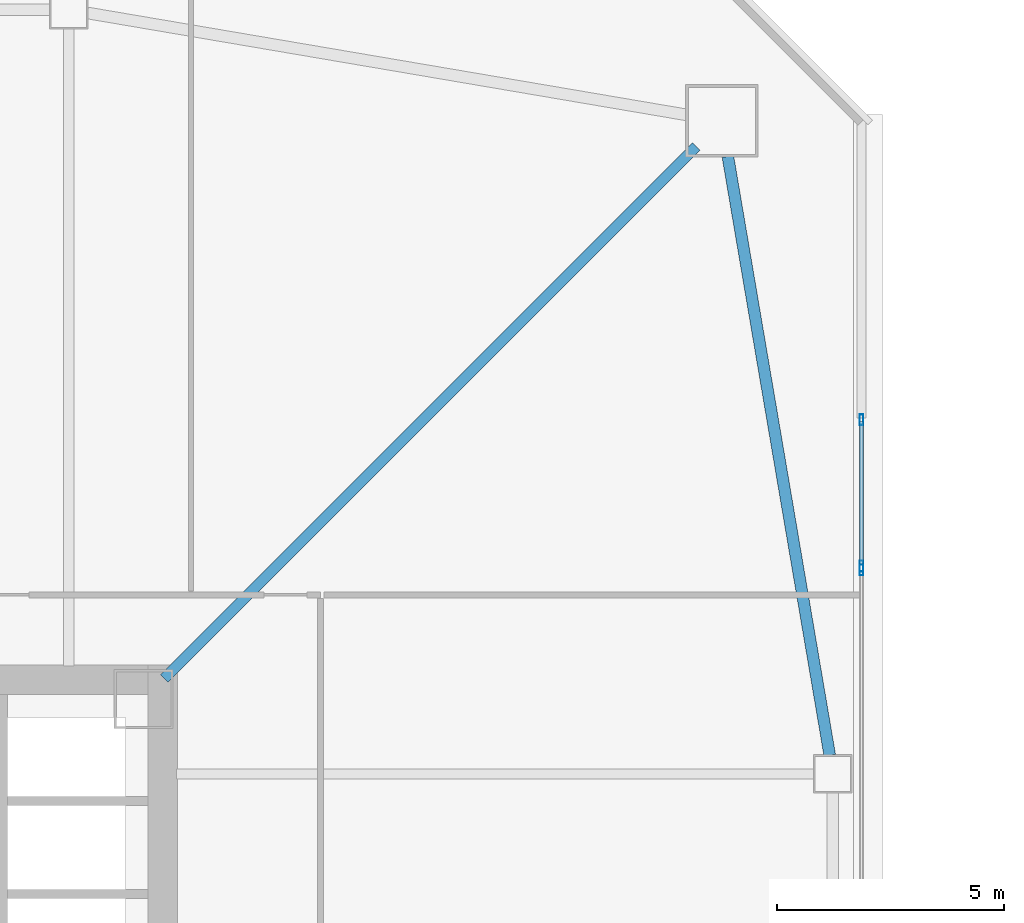
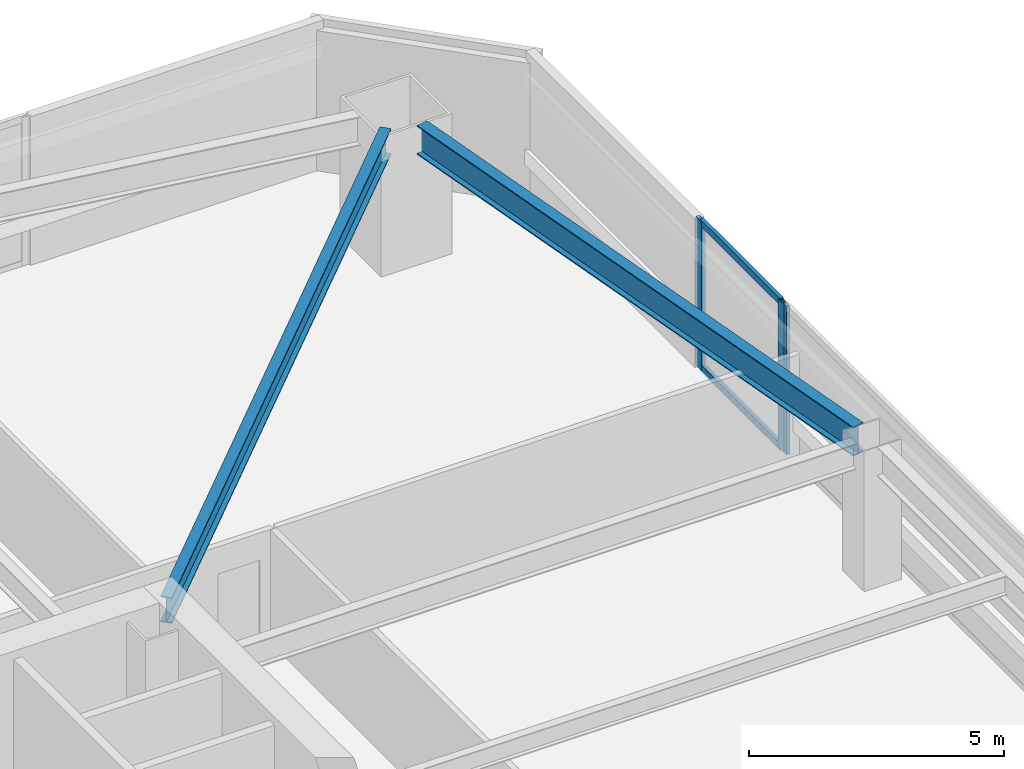
# One storey, part 17 of 48: 5 members, 2 beams, 2 elements without a shape of their own.
"""IFC4 building model written with IfcOpenShell, lengths in metres."""

from ifc_helpers import new_model, si_unit, direction, frame, origin, origin_2d, place, context, subcontext, project, spatial, hollow_rectangle, i_section, extrude, material, material_profile, profile_set, type_object, element, aggregate, save


model = new_model("IFC4")

# Units and contexts
model_context = context("Model", 3, precision=1e-05, world=origin(), true_north=direction((0.0, 1.0)))
body_context = subcontext(model_context, "Body", "Model", "MODEL_VIEW")
ifc_project = project(units=[si_unit("LENGTHUNIT", "METRE"), si_unit("AREAUNIT", "SQUARE_METRE"), si_unit("VOLUMEUNIT", "CUBIC_METRE"), si_unit("PLANEANGLEUNIT", "RADIAN"), si_unit("MASSUNIT", "GRAM", prefix="KILO")], contexts=[model_context])

# Site, building, storey
site_placement = place(None, origin())
site = spatial("IfcSite", under=ifc_project, at=site_placement, CompositionType="ELEMENT")
building_placement = place(site_placement, origin())
building = spatial("IfcBuilding", under=site, at=building_placement, Name="Tashvorn Skyway Center", CompositionType="ELEMENT")
storey_placement = place(building_placement, frame((0.0, 0.0, 56.550048828125)))
storey = spatial("IfcBuildingStorey", under=building, at=storey_placement, Name="L14", CompositionType="ELEMENT", Elevation=56.550048828125)

# Beams
ifc_material_1 = material(Name="Steel ASTM A992 Grade 50", Category="steel")
ifc_material_profile_1 = material_profile(ifc_material_1, i_section(OverallWidth=0.22998046875, OverallDepth=0.616943359375, WebThickness=0.01318359375, FlangeThickness=0.022216796875, at=origin_2d()), Name="W24X94")
ifc_profile_set_1 = profile_set([ifc_material_profile_1], Name="Steel ASTM A992 Grade 50")
beam_type_1 = type_object("IfcBeamType", Name="BM-BEAM-W24X94", PredefinedType="BEAM", material=ifc_profile_set_1)
beam_1_placement = place(storey_placement, frame((61.23779296875, 51.23779296875, 3.04150390625), z_axis=(-0.707106781187, -0.707106781187, 0.0), x_axis=(0.707106781187, -0.707106781187, 0.0)))
element("IfcBeam", 1, at=beam_1_placement, inside=storey, type_object=beam_type_1, Name="Tower 1 L14 Primary Floor Girder MC-NE", PredefinedType="BEAM", context=body_context, shape_type="SweptSolid", body=[
    extrude(i_section(OverallWidth=0.22998046875, OverallDepth=0.616943359375, WebThickness=0.01318359375, FlangeThickness=0.022216796875, at=origin_2d()), origin(), (0.0, 0.0, 1.0), 16.591064453125),
])
ifc_material_profile_2 = material_profile(ifc_material_1, i_section(OverallWidth=0.256103515625, OverallDepth=0.693115234375, WebThickness=0.014404296875, FlangeThickness=0.023681640625, at=origin_2d()), Name="W27X114")
ifc_profile_set_2 = profile_set([ifc_material_profile_2], Name="Steel ASTM A992 Grade 50")
beam_type_2 = type_object("IfcBeamType", Name="BM-SPANDREL-W27X114", PredefinedType="SPANDREL", material=ifc_profile_set_2)
beam_2_placement = place(storey_placement, frame((64.179443359375, 37.81396484375, 3.00341796875), z_axis=(-0.16771792509, 0.985835025551, 0.0), x_axis=(-0.985835025551, -0.16771792509, 0.0)))
element("IfcBeam", 2, at=beam_2_placement, inside=storey, type_object=beam_type_2, Name="Tower 1 L14 Spandrel Beam 06", PredefinedType="SPANDREL", context=body_context, shape_type="SweptSolid", body=[
    extrude(i_section(OverallWidth=0.256103515625, OverallDepth=0.693115234375, WebThickness=0.014404296875, FlangeThickness=0.023681640625, at=origin_2d()), origin(), (0.0, 0.0, 1.0), 13.39208984375),
])

# Curtain wall, members
ifc_material_2 = material(Name="Thermally broken bronze-anodized aluminium 6063-T6", Category="aluminium")
curtain_wall_type = type_object("IfcCurtainWallType", Name="CW-CW-Z1", PredefinedType="NOTDEFINED", material=ifc_material_2)
curtain_wall_1_placement = place(storey_placement, origin())
curtain_wall_1 = element("IfcCurtainWall", 3, at=curtain_wall_1_placement, inside=storey, type_object=curtain_wall_type, Name="Tower 1 L14 East Unitised Curtain Wall Glazing Group 1", PredefinedType="NOTDEFINED")
ifc_material_profile_3 = material_profile(ifc_material_2, hollow_rectangle(XDim=0.0849609375, YDim=0.239990234375, WallThickness=0.0048828125, at=origin_2d()), Name="ALU-MULL-85x240")
ifc_profile_set_3 = profile_set([ifc_material_profile_3], Name="Thermally broken bronze-anodized aluminium 6063-T6")
member_type_1 = type_object("IfcMemberType", Name="CWM-CW-Z1", PredefinedType="MULLION", material=ifc_profile_set_3)
member_1_placement = place(storey_placement, frame((64.8798828125, 45.210693359375, 0.0), z_axis=(0.0, 0.0, 1.0), x_axis=(1.0, 0.0, 0.0)))
member_1 = element("IfcMember", 4, at=member_1_placement, type_object=member_type_1, Name="CW-Z1 mullion 1", PredefinedType="MULLION", context=body_context, shape_type="SweptSolid", body=[
    extrude(hollow_rectangle(XDim=0.0849609375, YDim=0.239990234375, WallThickness=0.0048828125, at=origin_2d()), origin(), (0.0, 0.0, 1.0), 3.550048828125),
])
member_2_placement = place(storey_placement, frame((64.8798828125, 41.982421875, 0.0), z_axis=(0.0, 0.0, 1.0), x_axis=(1.0, 0.0, 0.0)))
member_2 = element("IfcMember", 5, at=member_2_placement, type_object=member_type_1, Name="CW-Z1 mullion 2", PredefinedType="MULLION", context=body_context, shape_type="SweptSolid", body=[
    extrude(hollow_rectangle(XDim=0.0849609375, YDim=0.239990234375, WallThickness=0.0048828125, at=origin_2d()), origin(), (0.0, 0.0, 1.0), 3.550048828125),
])

# Curtain wall, member
curtain_wall_2_placement = place(storey_placement, origin())
curtain_wall_2 = element("IfcCurtainWall", 6, at=curtain_wall_2_placement, inside=storey, type_object=curtain_wall_type, Name="Tower 1 L14 East Unitised Curtain Wall Glazing Group 2", PredefinedType="NOTDEFINED")
member_3_placement = place(storey_placement, frame((64.8798828125, 41.8974609375, 0.0), z_axis=(0.0, 0.0, 1.0), x_axis=(1.0, 0.0, 0.0)))
member_3 = element("IfcMember", 7, at=member_3_placement, type_object=member_type_1, Name="CW-Z1 mullion 1", PredefinedType="MULLION", context=body_context, shape_type="SweptSolid", body=[
    extrude(hollow_rectangle(XDim=0.0849609375, YDim=0.239990234375, WallThickness=0.0048828125, at=origin_2d()), origin(), (0.0, 0.0, 1.0), 3.550048828125),
])
aggregate(curtain_wall_2, [member_3])

# Member
ifc_material_profile_4 = material_profile(ifc_material_2, hollow_rectangle(XDim=0.0849609375, YDim=0.1650390625, WallThickness=0.0048828125, at=origin_2d()), Name="ALU-TRAN-85x165")
ifc_profile_set_4 = profile_set([ifc_material_profile_4], Name="Thermally broken bronze-anodized aluminium 6063-T6")
member_type_2 = type_object("IfcMemberType", Name="CWT-CW-Z1", PredefinedType="USERDEFINED", material=ifc_profile_set_4)
member_4_placement = place(storey_placement, frame((64.8798828125, 45.168212890625, 0.04248046875), z_axis=(0.0, -1.0, 0.0), x_axis=(1.0, 0.0, 0.0)))
member_4 = element("IfcMember", 8, at=member_4_placement, type_object=member_type_2, Name="CW-Z1 transom 1.1", ObjectType="TRANSOM", PredefinedType="USERDEFINED", context=body_context, shape_type="SweptSolid", body=[
    extrude(hollow_rectangle(XDim=0.0849609375, YDim=0.1650390625, WallThickness=0.0048828125, at=origin_2d()), origin(), (0.0, 0.0, 1.0), 3.143310546875),
])

member_5_placement = place(storey_placement, frame((64.8798828125, 45.168212890625, 3.507568359375), z_axis=(0.0, -1.0, 0.0), x_axis=(1.0, 0.0, 0.0)))
member_5 = element("IfcMember", 9, at=member_5_placement, type_object=member_type_2, Name="CW-Z1 transom 1.2", ObjectType="TRANSOM", PredefinedType="USERDEFINED", context=body_context, shape_type="SweptSolid", body=[
    extrude(hollow_rectangle(XDim=0.0849609375, YDim=0.1650390625, WallThickness=0.0048828125, at=origin_2d()), origin(), (0.0, 0.0, 1.0), 3.143310546875),
])

aggregate(curtain_wall_1, [member_1, member_2, member_4, member_5])

save(model, "model.ifc")
